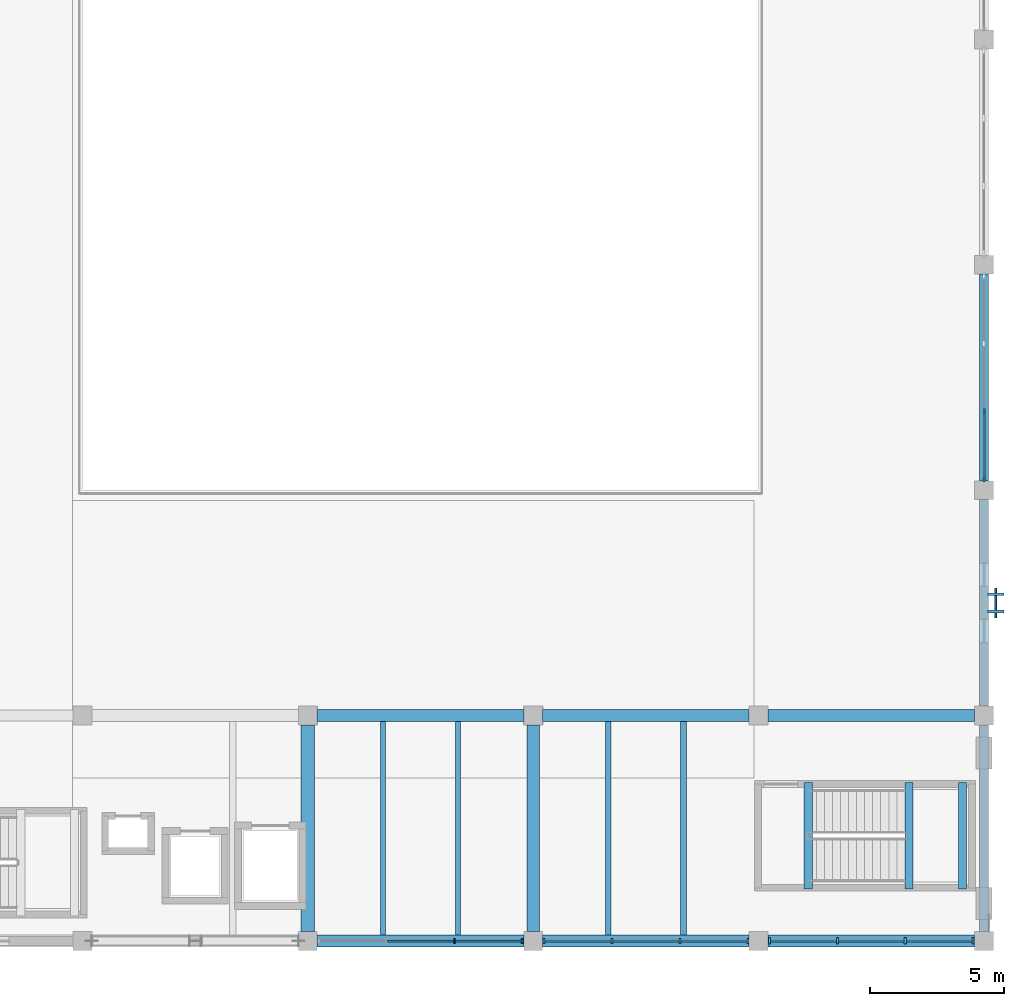
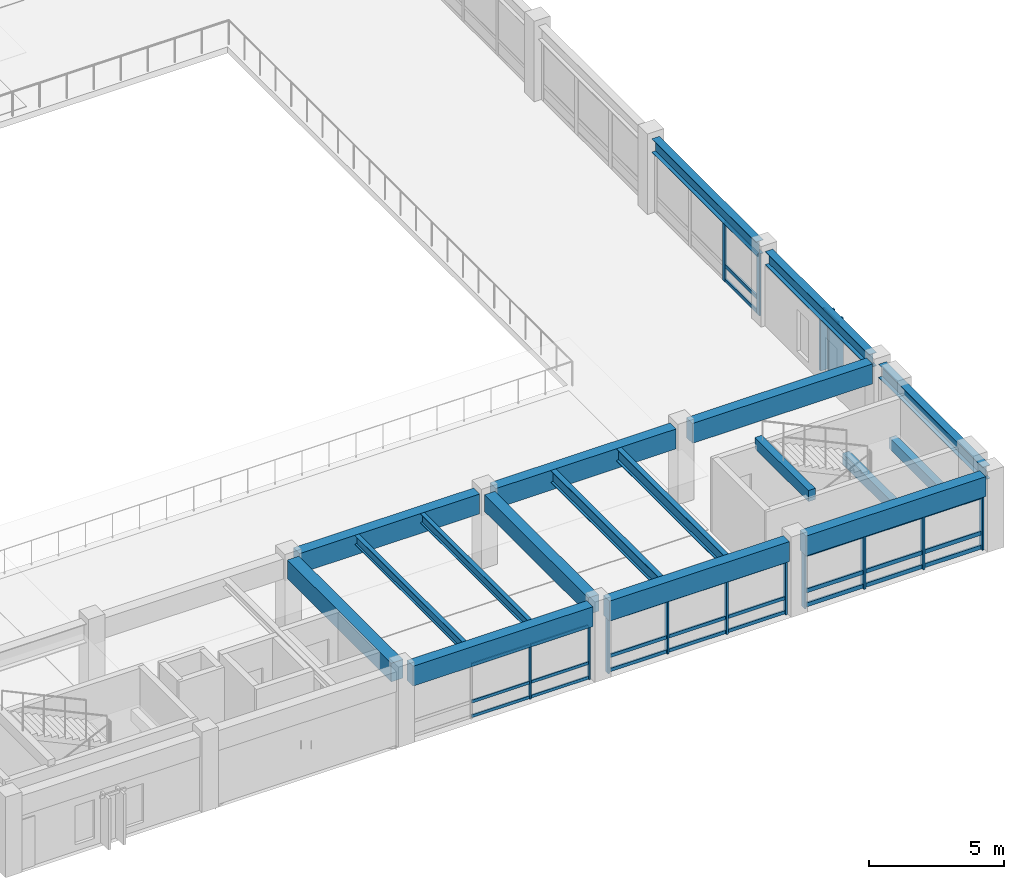
# One storey, part 41 of 118: 42 members, 18 beams, 5 elements without a shape of their own.
"""IFC4 building model written with IfcOpenShell, lengths in metres."""

from ifc_helpers import new_model, si_unit, direction, frame, origin, origin_2d, place, context, subcontext, project, spatial, rectangle, i_section, extrude, material, material_profile, profile_set, type_object, element, aggregate, save


model = new_model("IFC4")

# Units and contexts
model_context = context("Model", 3, precision=1e-05, world=origin(), true_north=direction((0.0, 1.0)))
body_context = subcontext(model_context, "Body", "Model", "MODEL_VIEW")
ifc_project = project(units=[si_unit("LENGTHUNIT", "METRE"), si_unit("AREAUNIT", "SQUARE_METRE"), si_unit("VOLUMEUNIT", "CUBIC_METRE"), si_unit("PLANEANGLEUNIT", "RADIAN"), si_unit("MASSUNIT", "GRAM", prefix="KILO")], contexts=[model_context])

# Site, building, storey
site_placement = place(None, origin())
site = spatial("IfcSite", under=ifc_project, at=site_placement, CompositionType="ELEMENT")
building_placement = place(site_placement, origin())
building = spatial("IfcBuilding", under=site, at=building_placement, Name="Cumbredor Promenade Congress Hotel", CompositionType="ELEMENT")
storey_placement = place(building_placement, frame((0.0, 0.0, 3.919921875)))
storey = spatial("IfcBuildingStorey", under=building, at=storey_placement, Name="L01", CompositionType="ELEMENT", Elevation=3.919921875)

# Beams
ifc_material_1 = material(Name="Concrete C40/50", Category="concrete")
ifc_material_profile_1 = material_profile(ifc_material_1, rectangle(XDim=0.449951171875, YDim=0.75, at=origin_2d()), Name="RC BEAM 450x750")
ifc_profile_set_1 = profile_set([ifc_material_profile_1], Name="Concrete C40/50")
beam_type_1 = type_object("IfcBeamType", Name="BM-RC-450x750", PredefinedType="BEAM", material=ifc_profile_set_1)
beam_1_placement = place(storey_placement, frame((168.0, 8.75, 2.985107421875), z_axis=(0.0, 1.0, 0.0), x_axis=(-1.0, 0.0, 0.0)))
element("IfcBeam", 1, at=beam_1_placement, inside=storey, type_object=beam_type_1, Name="L02 Y-Grid Beam 262", PredefinedType="BEAM", context=body_context, shape_type="SweptSolid", body=[
    extrude(rectangle(XDim=0.449951171875, YDim=0.75, at=origin_2d()), origin(), (0.0, 0.0, 1.0), 7.699951171875),
])
ifc_material_profile_2 = material_profile(ifc_material_1, rectangle(XDim=0.5, YDim=0.85009765625, at=origin_2d()), Name="RC BEAM 500x850")
ifc_profile_set_2 = profile_set([ifc_material_profile_2], Name="Concrete C40/50")
beam_type_2 = type_object("IfcBeamType", Name="BM-RC-500x850", PredefinedType="BEAM", material=ifc_profile_set_2)
beam_2_placement = place(storey_placement, frame((159.60009765625, 8.75, 2.93505859375), z_axis=(0.0, 1.0, 0.0), x_axis=(-1.0, 0.0, 0.0)))
element("IfcBeam", 2, at=beam_2_placement, inside=storey, type_object=beam_type_2, Name="L02 Y-Grid Beam 247", PredefinedType="BEAM", context=body_context, shape_type="SweptSolid", body=[
    extrude(rectangle(XDim=0.5, YDim=0.85009765625, at=origin_2d()), origin(), (0.0, 0.0, 1.0), 7.699951171875),
])

# Curtain wall, members
ifc_material_2 = material(Name="Thermally broken anodized aluminium and low-E glass", Category="aluminium")
curtain_wall_type_1 = type_object("IfcCurtainWallType", Name="Unitised Bronze Curtain Wall CW-01", PredefinedType="NOTDEFINED", material=ifc_material_2)
curtain_wall_1_placement = place(storey_placement, origin())
curtain_wall_1 = element("IfcCurtainWall", 3, at=curtain_wall_1_placement, inside=storey, type_object=curtain_wall_type_1, Name="L01 Grand Ballroom Pavilion South Curtain Wall 3", PredefinedType="NOTDEFINED")
ifc_material_3 = material(Name="Thermally broken anodized aluminium", Category="aluminium")
ifc_material_profile_3 = material_profile(ifc_material_3, rectangle(XDim=0.06494140625, YDim=0.159912109375, at=origin_2d()), Name="ALU MULLION 65x160")
ifc_profile_set_3 = profile_set([ifc_material_profile_3], Name="Thermally broken anodized aluminium")
member_type_1 = type_object("IfcMemberType", Name="Curtain Wall Mullion ML-01", PredefinedType="MULLION", material=ifc_profile_set_3)
member_1_placement = place(storey_placement, frame((165.06494140625, 8.39990234375, -0.0078125), z_axis=(0.0, 0.0, 1.0), x_axis=(1.0, 0.0, 0.0)))
member_1 = element("IfcMember", 4, at=member_1_placement, type_object=member_type_1, Name="L01 Grand Ballroom Pavilion South Curtain Wall 3 Mullion 3", PredefinedType="MULLION", context=body_context, shape_type="SweptSolid", body=[
    extrude(rectangle(XDim=0.06494140625, YDim=0.159912109375, at=origin_2d()), origin(), (0.0, 0.0, 1.0), 2.4609375),
])
member_2_placement = place(storey_placement, frame((167.594970703125, 8.39990234375, -0.0078125), z_axis=(0.0, 0.0, 1.0), x_axis=(1.0, 0.0, 0.0)))
member_2 = element("IfcMember", 5, at=member_2_placement, type_object=member_type_1, Name="L01 Grand Ballroom Pavilion South Curtain Wall 3 Mullion 4", PredefinedType="MULLION", context=body_context, shape_type="SweptSolid", body=[
    extrude(rectangle(XDim=0.06494140625, YDim=0.159912109375, at=origin_2d()), origin(), (0.0, 0.0, 1.0), 2.4609375),
])

curtain_wall_2_placement = place(storey_placement, origin())
curtain_wall_2 = element("IfcCurtainWall", 6, at=curtain_wall_2_placement, inside=storey, type_object=curtain_wall_type_1, Name="L01 Grand Ballroom Pavilion South Curtain Wall 4", PredefinedType="NOTDEFINED")
ifc_material_profile_4 = material_profile(ifc_material_3, rectangle(XDim=0.074951171875, YDim=0.199951171875, at=origin_2d()), Name="ALU MULLION 75x200")
ifc_profile_set_4 = profile_set([ifc_material_profile_4], Name="Thermally broken anodized aluminium")
member_type_2 = type_object("IfcMemberType", Name="Curtain Wall Mullion ML-02", PredefinedType="MULLION", material=ifc_profile_set_4)
member_3_placement = place(storey_placement, frame((168.405029296875, 8.39990234375, -0.0078125), z_axis=(0.0, 0.0, 1.0), x_axis=(1.0, 0.0, 0.0)))
member_3 = element("IfcMember", 7, at=member_3_placement, type_object=member_type_2, Name="L01 Grand Ballroom Pavilion South Curtain Wall 4 Mullion 1", PredefinedType="MULLION", context=body_context, shape_type="SweptSolid", body=[
    extrude(rectangle(XDim=0.074951171875, YDim=0.199951171875, at=origin_2d()), origin(), (0.0, 0.0, 1.0), 2.4609375),
])
member_4_placement = place(storey_placement, frame((170.93505859375, 8.39990234375, -0.0078125), z_axis=(0.0, 0.0, 1.0), x_axis=(1.0, 0.0, 0.0)))
member_4 = element("IfcMember", 8, at=member_4_placement, type_object=member_type_2, Name="L01 Grand Ballroom Pavilion South Curtain Wall 4 Mullion 2", PredefinedType="MULLION", context=body_context, shape_type="SweptSolid", body=[
    extrude(rectangle(XDim=0.074951171875, YDim=0.199951171875, at=origin_2d()), origin(), (0.0, 0.0, 1.0), 2.4609375),
])
member_5_placement = place(storey_placement, frame((173.465087890625, 8.39990234375, -0.0078125), z_axis=(0.0, 0.0, 1.0), x_axis=(1.0, 0.0, 0.0)))
member_5 = element("IfcMember", 9, at=member_5_placement, type_object=member_type_2, Name="L01 Grand Ballroom Pavilion South Curtain Wall 4 Mullion 3", PredefinedType="MULLION", context=body_context, shape_type="SweptSolid", body=[
    extrude(rectangle(XDim=0.074951171875, YDim=0.199951171875, at=origin_2d()), origin(), (0.0, 0.0, 1.0), 2.4609375),
])
member_6_placement = place(storey_placement, frame((175.9951171875, 8.39990234375, -0.0078125), z_axis=(0.0, 0.0, 1.0), x_axis=(1.0, 0.0, 0.0)))
member_6 = element("IfcMember", 10, at=member_6_placement, type_object=member_type_2, Name="L01 Grand Ballroom Pavilion South Curtain Wall 4 Mullion 4", PredefinedType="MULLION", context=body_context, shape_type="SweptSolid", body=[
    extrude(rectangle(XDim=0.074951171875, YDim=0.199951171875, at=origin_2d()), origin(), (0.0, 0.0, 1.0), 2.4609375),
])

curtain_wall_3_placement = place(storey_placement, origin())
curtain_wall_3 = element("IfcCurtainWall", 11, at=curtain_wall_3_placement, inside=storey, type_object=curtain_wall_type_1, Name="L01 Grand Ballroom Pavilion East Curtain Wall 3", PredefinedType="NOTDEFINED")
member_7_placement = place(storey_placement, frame((184.800048828125, 25.60498046875, -0.0078125), z_axis=(0.0, 0.0, 1.0), x_axis=(1.0, 0.0, 0.0)))
member_7 = element("IfcMember", 12, at=member_7_placement, type_object=member_type_2, Name="L01 Grand Ballroom Pavilion East Curtain Wall 3 Mullion 1", PredefinedType="MULLION", context=body_context, shape_type="SweptSolid", body=[
    extrude(rectangle(XDim=0.074951171875, YDim=0.199951171875, at=origin_2d()), origin(), (0.0, 0.0, 1.0), 2.75),
])
member_8_placement = place(storey_placement, frame((184.800048828125, 28.135009765625, -0.0078125), z_axis=(0.0, 0.0, 1.0), x_axis=(1.0, 0.0, 0.0)))
member_8 = element("IfcMember", 13, at=member_8_placement, type_object=member_type_2, Name="L01 Grand Ballroom Pavilion East Curtain Wall 3 Mullion 2", PredefinedType="MULLION", context=body_context, shape_type="SweptSolid", body=[
    extrude(rectangle(XDim=0.074951171875, YDim=0.199951171875, at=origin_2d()), origin(), (0.0, 0.0, 1.0), 2.75),
])

curtain_wall_4_placement = place(storey_placement, origin())
curtain_wall_4 = element("IfcCurtainWall", 14, at=curtain_wall_4_placement, inside=storey, type_object=curtain_wall_type_1, Name="L01 Grand Ballroom Pavilion South Curtain Wall 5", PredefinedType="NOTDEFINED")
ifc_material_profile_5 = material_profile(ifc_material_3, rectangle(XDim=0.080078125, YDim=0.239990234375, at=origin_2d()), Name="ALU MULLION 80x240")
ifc_profile_set_5 = profile_set([ifc_material_profile_5], Name="Thermally broken anodized aluminium")
member_type_3 = type_object("IfcMemberType", Name="Curtain Wall Mullion ML-03", PredefinedType="MULLION", material=ifc_profile_set_5)
member_9_placement = place(storey_placement, frame((176.804931640625, 8.39990234375, -0.0078125), z_axis=(0.0, 0.0, 1.0), x_axis=(1.0, 0.0, 0.0)))
member_9 = element("IfcMember", 15, at=member_9_placement, type_object=member_type_3, Name="L01 Grand Ballroom Pavilion South Curtain Wall 5 Mullion 1", PredefinedType="MULLION", context=body_context, shape_type="SweptSolid", body=[
    extrude(rectangle(XDim=0.080078125, YDim=0.239990234375, at=origin_2d()), origin(), (0.0, 0.0, 1.0), 2.4609375),
])
member_10_placement = place(storey_placement, frame((179.3349609375, 8.39990234375, -0.0078125), z_axis=(0.0, 0.0, 1.0), x_axis=(1.0, 0.0, 0.0)))
member_10 = element("IfcMember", 16, at=member_10_placement, type_object=member_type_3, Name="L01 Grand Ballroom Pavilion South Curtain Wall 5 Mullion 2", PredefinedType="MULLION", context=body_context, shape_type="SweptSolid", body=[
    extrude(rectangle(XDim=0.080078125, YDim=0.239990234375, at=origin_2d()), origin(), (0.0, 0.0, 1.0), 2.4609375),
])
member_11_placement = place(storey_placement, frame((181.864990234375, 8.39990234375, -0.0078125), z_axis=(0.0, 0.0, 1.0), x_axis=(1.0, 0.0, 0.0)))
member_11 = element("IfcMember", 17, at=member_11_placement, type_object=member_type_3, Name="L01 Grand Ballroom Pavilion South Curtain Wall 5 Mullion 3", PredefinedType="MULLION", context=body_context, shape_type="SweptSolid", body=[
    extrude(rectangle(XDim=0.080078125, YDim=0.239990234375, at=origin_2d()), origin(), (0.0, 0.0, 1.0), 2.4609375),
])
member_12_placement = place(storey_placement, frame((184.39501953125, 8.39990234375, -0.0078125), z_axis=(0.0, 0.0, 1.0), x_axis=(1.0, 0.0, 0.0)))
member_12 = element("IfcMember", 18, at=member_12_placement, type_object=member_type_3, Name="L01 Grand Ballroom Pavilion South Curtain Wall 5 Mullion 4", PredefinedType="MULLION", context=body_context, shape_type="SweptSolid", body=[
    extrude(rectangle(XDim=0.080078125, YDim=0.239990234375, at=origin_2d()), origin(), (0.0, 0.0, 1.0), 2.4609375),
])

# Member
ifc_material_profile_6 = material_profile(ifc_material_3, rectangle(XDim=0.06494140625, YDim=0.1298828125, at=origin_2d()), Name="ALU TRANSOM 65x130")
ifc_profile_set_6 = profile_set([ifc_material_profile_6], Name="Thermally broken anodized aluminium")
member_type_4 = type_object("IfcMemberType", Name="Curtain Wall Transom TR-01", PredefinedType="USERDEFINED", material=ifc_profile_set_6)
member_13_placement = place(storey_placement, frame((162.5673828125, 8.39990234375, 0.06005859375), z_axis=(1.0, 0.0, 0.0), x_axis=(0.0, 1.0, 0.0)))
member_13 = element("IfcMember", 19, at=member_13_placement, type_object=member_type_4, Name="L01 Grand Ballroom Pavilion South Curtain Wall 3 Transom 2.1", ObjectType="TRANSOM", PredefinedType="USERDEFINED", context=body_context, shape_type="SweptSolid", body=[
    extrude(rectangle(XDim=0.06494140625, YDim=0.1298828125, at=origin_2d()), origin(), (0.0, 0.0, 1.0), 2.465087890625),
])

member_14_placement = place(storey_placement, frame((162.5673828125, 8.39990234375, 0.719970703125), z_axis=(1.0, 0.0, 0.0), x_axis=(0.0, 1.0, 0.0)))
member_14 = element("IfcMember", 20, at=member_14_placement, type_object=member_type_4, Name="L01 Grand Ballroom Pavilion South Curtain Wall 3 Transom 2.2", ObjectType="TRANSOM", PredefinedType="USERDEFINED", context=body_context, shape_type="SweptSolid", body=[
    extrude(rectangle(XDim=0.06494140625, YDim=0.1298828125, at=origin_2d()), origin(), (0.0, 0.0, 1.0), 2.465087890625),
])

member_15_placement = place(storey_placement, frame((162.5673828125, 8.39990234375, 2.380126953125), z_axis=(1.0, 0.0, 0.0), x_axis=(0.0, 1.0, 0.0)))
member_15 = element("IfcMember", 21, at=member_15_placement, type_object=member_type_4, Name="L01 Grand Ballroom Pavilion South Curtain Wall 3 Transom 2.3", ObjectType="TRANSOM", PredefinedType="USERDEFINED", context=body_context, shape_type="SweptSolid", body=[
    extrude(rectangle(XDim=0.06494140625, YDim=0.1298828125, at=origin_2d()), origin(), (0.0, 0.0, 1.0), 2.465087890625),
])

member_16_placement = place(storey_placement, frame((165.097412109375, 8.39990234375, 0.06005859375), z_axis=(1.0, 0.0, 0.0), x_axis=(0.0, 1.0, 0.0)))
member_16 = element("IfcMember", 22, at=member_16_placement, type_object=member_type_4, Name="L01 Grand Ballroom Pavilion South Curtain Wall 3 Transom 3.1", ObjectType="TRANSOM", PredefinedType="USERDEFINED", context=body_context, shape_type="SweptSolid", body=[
    extrude(rectangle(XDim=0.06494140625, YDim=0.1298828125, at=origin_2d()), origin(), (0.0, 0.0, 1.0), 2.465087890625),
])

member_17_placement = place(storey_placement, frame((165.097412109375, 8.39990234375, 0.719970703125), z_axis=(1.0, 0.0, 0.0), x_axis=(0.0, 1.0, 0.0)))
member_17 = element("IfcMember", 23, at=member_17_placement, type_object=member_type_4, Name="L01 Grand Ballroom Pavilion South Curtain Wall 3 Transom 3.2", ObjectType="TRANSOM", PredefinedType="USERDEFINED", context=body_context, shape_type="SweptSolid", body=[
    extrude(rectangle(XDim=0.06494140625, YDim=0.1298828125, at=origin_2d()), origin(), (0.0, 0.0, 1.0), 2.465087890625),
])

member_18_placement = place(storey_placement, frame((165.097412109375, 8.39990234375, 2.380126953125), z_axis=(1.0, 0.0, 0.0), x_axis=(0.0, 1.0, 0.0)))
member_18 = element("IfcMember", 24, at=member_18_placement, type_object=member_type_4, Name="L01 Grand Ballroom Pavilion South Curtain Wall 3 Transom 3.3", ObjectType="TRANSOM", PredefinedType="USERDEFINED", context=body_context, shape_type="SweptSolid", body=[
    extrude(rectangle(XDim=0.06494140625, YDim=0.1298828125, at=origin_2d()), origin(), (0.0, 0.0, 1.0), 2.465087890625),
])

aggregate(curtain_wall_1, [member_1, member_2, member_13, member_14, member_15, member_16, member_17, member_18])

# Curtain wall, member
curtain_wall_type_2 = type_object("IfcCurtainWallType", Name="Solar Brise-Soleil Screen Assembly CW-07", PredefinedType="NOTDEFINED", material=ifc_material_2)
curtain_wall_5_placement = place(storey_placement, origin())
curtain_wall_5 = element("IfcCurtainWall", 25, at=curtain_wall_5_placement, inside=storey, type_object=curtain_wall_type_2, Name="L01 Pier Brise-Soleil Screen 0181", PredefinedType="NOTDEFINED")
member_19_placement = place(storey_placement, frame((185.235107421875, 20.449951171875, 2.573974609375), z_axis=(0.0, 1.0, 0.0), x_axis=(-1.0, 0.0, 0.0)))
member_19 = element("IfcMember", 26, at=member_19_placement, type_object=member_type_4, Name="L01 Pier Brise-Soleil Header 0183", ObjectType="TRANSOM", PredefinedType="USERDEFINED", context=body_context, shape_type="SweptSolid", body=[
    extrude(rectangle(XDim=0.06494140625, YDim=0.1298828125, at=origin_2d()), origin(), (0.0, 0.0, 1.0), 1.10009765625),
])

# Member
ifc_material_profile_7 = material_profile(ifc_material_3, rectangle(XDim=0.074951171875, YDim=0.14990234375, at=origin_2d()), Name="ALU TRANSOM 75x150")
ifc_profile_set_7 = profile_set([ifc_material_profile_7], Name="Thermally broken anodized aluminium")
member_type_5 = type_object("IfcMemberType", Name="Curtain Wall Transom TR-02", PredefinedType="USERDEFINED", material=ifc_profile_set_7)
member_20_placement = place(storey_placement, frame((168.4423828125, 8.39990234375, 0.080078125), z_axis=(1.0, 0.0, 0.0), x_axis=(0.0, 1.0, 0.0)))
member_20 = element("IfcMember", 27, at=member_20_placement, type_object=member_type_5, Name="L01 Grand Ballroom Pavilion South Curtain Wall 4 Transom 1.1", ObjectType="TRANSOM", PredefinedType="USERDEFINED", context=body_context, shape_type="SweptSolid", body=[
    extrude(rectangle(XDim=0.074951171875, YDim=0.14990234375, at=origin_2d()), origin(), (0.0, 0.0, 1.0), 2.455078125),
])

member_21_placement = place(storey_placement, frame((168.4423828125, 8.39990234375, 0.719970703125), z_axis=(1.0, 0.0, 0.0), x_axis=(0.0, 1.0, 0.0)))
member_21 = element("IfcMember", 28, at=member_21_placement, type_object=member_type_5, Name="L01 Grand Ballroom Pavilion South Curtain Wall 4 Transom 1.2", ObjectType="TRANSOM", PredefinedType="USERDEFINED", context=body_context, shape_type="SweptSolid", body=[
    extrude(rectangle(XDim=0.074951171875, YDim=0.14990234375, at=origin_2d()), origin(), (0.0, 0.0, 1.0), 2.455078125),
])

member_22_placement = place(storey_placement, frame((168.4423828125, 8.39990234375, 2.3701171875), z_axis=(1.0, 0.0, 0.0), x_axis=(0.0, 1.0, 0.0)))
member_22 = element("IfcMember", 29, at=member_22_placement, type_object=member_type_5, Name="L01 Grand Ballroom Pavilion South Curtain Wall 4 Transom 1.3", ObjectType="TRANSOM", PredefinedType="USERDEFINED", context=body_context, shape_type="SweptSolid", body=[
    extrude(rectangle(XDim=0.074951171875, YDim=0.14990234375, at=origin_2d()), origin(), (0.0, 0.0, 1.0), 2.455078125),
])

member_23_placement = place(storey_placement, frame((170.972412109375, 8.39990234375, 0.080078125), z_axis=(1.0, 0.0, 0.0), x_axis=(0.0, 1.0, 0.0)))
member_23 = element("IfcMember", 30, at=member_23_placement, type_object=member_type_5, Name="L01 Grand Ballroom Pavilion South Curtain Wall 4 Transom 2.1", ObjectType="TRANSOM", PredefinedType="USERDEFINED", context=body_context, shape_type="SweptSolid", body=[
    extrude(rectangle(XDim=0.074951171875, YDim=0.14990234375, at=origin_2d()), origin(), (0.0, 0.0, 1.0), 2.455078125),
])

member_24_placement = place(storey_placement, frame((170.972412109375, 8.39990234375, 0.719970703125), z_axis=(1.0, 0.0, 0.0), x_axis=(0.0, 1.0, 0.0)))
member_24 = element("IfcMember", 31, at=member_24_placement, type_object=member_type_5, Name="L01 Grand Ballroom Pavilion South Curtain Wall 4 Transom 2.2", ObjectType="TRANSOM", PredefinedType="USERDEFINED", context=body_context, shape_type="SweptSolid", body=[
    extrude(rectangle(XDim=0.074951171875, YDim=0.14990234375, at=origin_2d()), origin(), (0.0, 0.0, 1.0), 2.455078125),
])

member_25_placement = place(storey_placement, frame((170.972412109375, 8.39990234375, 2.3701171875), z_axis=(1.0, 0.0, 0.0), x_axis=(0.0, 1.0, 0.0)))
member_25 = element("IfcMember", 32, at=member_25_placement, type_object=member_type_5, Name="L01 Grand Ballroom Pavilion South Curtain Wall 4 Transom 2.3", ObjectType="TRANSOM", PredefinedType="USERDEFINED", context=body_context, shape_type="SweptSolid", body=[
    extrude(rectangle(XDim=0.074951171875, YDim=0.14990234375, at=origin_2d()), origin(), (0.0, 0.0, 1.0), 2.455078125),
])

member_26_placement = place(storey_placement, frame((173.50244140625, 8.39990234375, 0.080078125), z_axis=(1.0, 0.0, 0.0), x_axis=(0.0, 1.0, 0.0)))
member_26 = element("IfcMember", 33, at=member_26_placement, type_object=member_type_5, Name="L01 Grand Ballroom Pavilion South Curtain Wall 4 Transom 3.1", ObjectType="TRANSOM", PredefinedType="USERDEFINED", context=body_context, shape_type="SweptSolid", body=[
    extrude(rectangle(XDim=0.074951171875, YDim=0.14990234375, at=origin_2d()), origin(), (0.0, 0.0, 1.0), 2.455078125),
])

member_27_placement = place(storey_placement, frame((173.50244140625, 8.39990234375, 0.719970703125), z_axis=(1.0, 0.0, 0.0), x_axis=(0.0, 1.0, 0.0)))
member_27 = element("IfcMember", 34, at=member_27_placement, type_object=member_type_5, Name="L01 Grand Ballroom Pavilion South Curtain Wall 4 Transom 3.2", ObjectType="TRANSOM", PredefinedType="USERDEFINED", context=body_context, shape_type="SweptSolid", body=[
    extrude(rectangle(XDim=0.074951171875, YDim=0.14990234375, at=origin_2d()), origin(), (0.0, 0.0, 1.0), 2.455078125),
])

member_28_placement = place(storey_placement, frame((173.50244140625, 8.39990234375, 2.3701171875), z_axis=(1.0, 0.0, 0.0), x_axis=(0.0, 1.0, 0.0)))
member_28 = element("IfcMember", 35, at=member_28_placement, type_object=member_type_5, Name="L01 Grand Ballroom Pavilion South Curtain Wall 4 Transom 3.3", ObjectType="TRANSOM", PredefinedType="USERDEFINED", context=body_context, shape_type="SweptSolid", body=[
    extrude(rectangle(XDim=0.074951171875, YDim=0.14990234375, at=origin_2d()), origin(), (0.0, 0.0, 1.0), 2.455078125),
])

aggregate(curtain_wall_2, [member_3, member_4, member_5, member_6, member_20, member_21, member_22, member_23, member_24, member_25, member_26, member_27, member_28])

member_29_placement = place(storey_placement, frame((184.800048828125, 25.642578125, 0.080078125), z_axis=(0.0, 1.0, 0.0), x_axis=(-1.0, 0.0, 0.0)))
member_29 = element("IfcMember", 36, at=member_29_placement, type_object=member_type_5, Name="L01 Grand Ballroom Pavilion East Curtain Wall 3 Transom 1.1", ObjectType="TRANSOM", PredefinedType="USERDEFINED", context=body_context, shape_type="SweptSolid", body=[
    extrude(rectangle(XDim=0.074951171875, YDim=0.14990234375, at=origin_2d()), origin(), (0.0, 0.0, 1.0), 2.454833984375),
])

member_30_placement = place(storey_placement, frame((184.800048828125, 25.642578125, 0.719970703125), z_axis=(0.0, 1.0, 0.0), x_axis=(-1.0, 0.0, 0.0)))
member_30 = element("IfcMember", 37, at=member_30_placement, type_object=member_type_5, Name="L01 Grand Ballroom Pavilion East Curtain Wall 3 Transom 1.2", ObjectType="TRANSOM", PredefinedType="USERDEFINED", context=body_context, shape_type="SweptSolid", body=[
    extrude(rectangle(XDim=0.074951171875, YDim=0.14990234375, at=origin_2d()), origin(), (0.0, 0.0, 1.0), 2.454833984375),
])

member_31_placement = place(storey_placement, frame((184.800048828125, 25.642578125, 2.66015625), z_axis=(0.0, 1.0, 0.0), x_axis=(-1.0, 0.0, 0.0)))
member_31 = element("IfcMember", 38, at=member_31_placement, type_object=member_type_5, Name="L01 Grand Ballroom Pavilion East Curtain Wall 3 Transom 1.3", ObjectType="TRANSOM", PredefinedType="USERDEFINED", context=body_context, shape_type="SweptSolid", body=[
    extrude(rectangle(XDim=0.074951171875, YDim=0.14990234375, at=origin_2d()), origin(), (0.0, 0.0, 1.0), 2.454833984375),
])

aggregate(curtain_wall_3, [member_7, member_8, member_29, member_30, member_31])

ifc_material_profile_8 = material_profile(ifc_material_3, rectangle(XDim=0.080078125, YDim=0.179931640625, at=origin_2d()), Name="ALU TRANSOM 80x180")
ifc_profile_set_8 = profile_set([ifc_material_profile_8], Name="Thermally broken anodized aluminium")
member_type_6 = type_object("IfcMemberType", Name="Curtain Wall Transom TR-03", PredefinedType="USERDEFINED", material=ifc_profile_set_8)
member_32_placement = place(storey_placement, frame((176.844970703125, 8.39990234375, 0.090087890625), z_axis=(1.0, 0.0, 0.0), x_axis=(0.0, 1.0, 0.0)))
member_32 = element("IfcMember", 39, at=member_32_placement, type_object=member_type_6, Name="L01 Grand Ballroom Pavilion South Curtain Wall 5 Transom 1.1", ObjectType="TRANSOM", PredefinedType="USERDEFINED", context=body_context, shape_type="SweptSolid", body=[
    extrude(rectangle(XDim=0.080078125, YDim=0.179931640625, at=origin_2d()), origin(), (0.0, 0.0, 1.0), 2.449951171875),
])

member_33_placement = place(storey_placement, frame((176.844970703125, 8.39990234375, 0.719970703125), z_axis=(1.0, 0.0, 0.0), x_axis=(0.0, 1.0, 0.0)))
member_33 = element("IfcMember", 40, at=member_33_placement, type_object=member_type_6, Name="L01 Grand Ballroom Pavilion South Curtain Wall 5 Transom 1.2", ObjectType="TRANSOM", PredefinedType="USERDEFINED", context=body_context, shape_type="SweptSolid", body=[
    extrude(rectangle(XDim=0.080078125, YDim=0.179931640625, at=origin_2d()), origin(), (0.0, 0.0, 1.0), 2.449951171875),
])

member_34_placement = place(storey_placement, frame((176.844970703125, 8.39990234375, 2.360107421875), z_axis=(1.0, 0.0, 0.0), x_axis=(0.0, 1.0, 0.0)))
member_34 = element("IfcMember", 41, at=member_34_placement, type_object=member_type_6, Name="L01 Grand Ballroom Pavilion South Curtain Wall 5 Transom 1.3", ObjectType="TRANSOM", PredefinedType="USERDEFINED", context=body_context, shape_type="SweptSolid", body=[
    extrude(rectangle(XDim=0.080078125, YDim=0.179931640625, at=origin_2d()), origin(), (0.0, 0.0, 1.0), 2.449951171875),
])

member_35_placement = place(storey_placement, frame((179.375, 8.39990234375, 0.090087890625), z_axis=(1.0, 0.0, 0.0), x_axis=(0.0, 1.0, 0.0)))
member_35 = element("IfcMember", 42, at=member_35_placement, type_object=member_type_6, Name="L01 Grand Ballroom Pavilion South Curtain Wall 5 Transom 2.1", ObjectType="TRANSOM", PredefinedType="USERDEFINED", context=body_context, shape_type="SweptSolid", body=[
    extrude(rectangle(XDim=0.080078125, YDim=0.179931640625, at=origin_2d()), origin(), (0.0, 0.0, 1.0), 2.449951171875),
])

member_36_placement = place(storey_placement, frame((179.375, 8.39990234375, 0.719970703125), z_axis=(1.0, 0.0, 0.0), x_axis=(0.0, 1.0, 0.0)))
member_36 = element("IfcMember", 43, at=member_36_placement, type_object=member_type_6, Name="L01 Grand Ballroom Pavilion South Curtain Wall 5 Transom 2.2", ObjectType="TRANSOM", PredefinedType="USERDEFINED", context=body_context, shape_type="SweptSolid", body=[
    extrude(rectangle(XDim=0.080078125, YDim=0.179931640625, at=origin_2d()), origin(), (0.0, 0.0, 1.0), 2.449951171875),
])

member_37_placement = place(storey_placement, frame((179.375, 8.39990234375, 2.360107421875), z_axis=(1.0, 0.0, 0.0), x_axis=(0.0, 1.0, 0.0)))
member_37 = element("IfcMember", 44, at=member_37_placement, type_object=member_type_6, Name="L01 Grand Ballroom Pavilion South Curtain Wall 5 Transom 2.3", ObjectType="TRANSOM", PredefinedType="USERDEFINED", context=body_context, shape_type="SweptSolid", body=[
    extrude(rectangle(XDim=0.080078125, YDim=0.179931640625, at=origin_2d()), origin(), (0.0, 0.0, 1.0), 2.449951171875),
])

member_38_placement = place(storey_placement, frame((181.905029296875, 8.39990234375, 0.090087890625), z_axis=(1.0, 0.0, 0.0), x_axis=(0.0, 1.0, 0.0)))
member_38 = element("IfcMember", 45, at=member_38_placement, type_object=member_type_6, Name="L01 Grand Ballroom Pavilion South Curtain Wall 5 Transom 3.1", ObjectType="TRANSOM", PredefinedType="USERDEFINED", context=body_context, shape_type="SweptSolid", body=[
    extrude(rectangle(XDim=0.080078125, YDim=0.179931640625, at=origin_2d()), origin(), (0.0, 0.0, 1.0), 2.449951171875),
])

member_39_placement = place(storey_placement, frame((181.905029296875, 8.39990234375, 0.719970703125), z_axis=(1.0, 0.0, 0.0), x_axis=(0.0, 1.0, 0.0)))
member_39 = element("IfcMember", 46, at=member_39_placement, type_object=member_type_6, Name="L01 Grand Ballroom Pavilion South Curtain Wall 5 Transom 3.2", ObjectType="TRANSOM", PredefinedType="USERDEFINED", context=body_context, shape_type="SweptSolid", body=[
    extrude(rectangle(XDim=0.080078125, YDim=0.179931640625, at=origin_2d()), origin(), (0.0, 0.0, 1.0), 2.449951171875),
])

member_40_placement = place(storey_placement, frame((181.905029296875, 8.39990234375, 2.360107421875), z_axis=(1.0, 0.0, 0.0), x_axis=(0.0, 1.0, 0.0)))
member_40 = element("IfcMember", 47, at=member_40_placement, type_object=member_type_6, Name="L01 Grand Ballroom Pavilion South Curtain Wall 5 Transom 3.3", ObjectType="TRANSOM", PredefinedType="USERDEFINED", context=body_context, shape_type="SweptSolid", body=[
    extrude(rectangle(XDim=0.080078125, YDim=0.179931640625, at=origin_2d()), origin(), (0.0, 0.0, 1.0), 2.449951171875),
])

aggregate(curtain_wall_4, [member_9, member_10, member_11, member_12, member_32, member_33, member_34, member_35, member_36, member_37, member_38, member_39, member_40])

# Beams
ifc_material_4 = material(Name="Steel ASTM A992 Grade 50", Category="steel")
ifc_material_profile_9 = material_profile(ifc_material_4, i_section(OverallWidth=0.180908203125, OverallDepth=0.4169921875, WebThickness=0.010986328125, FlangeThickness=0.018310546875, at=origin_2d()), Name="W16X57")
ifc_profile_set_9 = profile_set([ifc_material_profile_9], Name="Steel ASTM A992 Grade 50")
beam_type_3 = type_object("IfcBeamType", Name="JST-W16X57", PredefinedType="JOIST", material=ifc_profile_set_9)
for number, where, z_axis, x_axis, name in (
    (48, (162.39990234375, 8.625, 3.151611328125), (0.0, 1.0, 0.0), (-1.0, 0.0, 0.0), "L02 Secondary Floor Joist 0139"),
    (49, (165.199951171875, 8.625, 3.151611328125), (0.0, 1.0, 0.0), (-1.0, 0.0, 0.0), "L02 Secondary Floor Joist 0140"),
):
    element("IfcBeam", number, at=place(storey_placement, frame(where, z_axis=z_axis, x_axis=x_axis)), inside=storey, type_object=beam_type_3, Name=name, PredefinedType="JOIST", context=body_context, shape_type="SweptSolid", body=[
        extrude(i_section(OverallWidth=0.180908203125, OverallDepth=0.4169921875, WebThickness=0.010986328125, FlangeThickness=0.018310546875, at=origin_2d()), origin(), (0.0, 0.0, 1.0), 7.949951171875),
    ])
ifc_material_profile_10 = material_profile(ifc_material_4, i_section(OverallWidth=0.214111328125, OverallDepth=0.549072265625, WebThickness=0.0146484375, FlangeThickness=0.023681640625, at=origin_2d()), Name="W21X93")
ifc_profile_set_10 = profile_set([ifc_material_profile_10], Name="Steel ASTM A992 Grade 50")
beam_type_4 = type_object("IfcBeamType", Name="JST-W21X93", PredefinedType="JOIST", material=ifc_profile_set_10)
for number, where, z_axis, x_axis, name in (
    (50, (170.800048828125, 8.625, 3.085693359375), (0.0, 1.0, 0.0), (-1.0, 0.0, 0.0), "L02 Secondary Floor Joist 0151"),
    (51, (173.60009765625, 8.625, 3.085693359375), (0.0, 1.0, 0.0), (-1.0, 0.0, 0.0), "L02 Secondary Floor Joist 0152"),
):
    element("IfcBeam", number, at=place(storey_placement, frame(where, z_axis=z_axis, x_axis=x_axis)), inside=storey, type_object=beam_type_4, Name=name, PredefinedType="JOIST", context=body_context, shape_type="SweptSolid", body=[
        extrude(i_section(OverallWidth=0.214111328125, OverallDepth=0.549072265625, WebThickness=0.0146484375, FlangeThickness=0.023681640625, at=origin_2d()), origin(), (0.0, 0.0, 1.0), 7.949951171875),
    ])
ifc_material_profile_11 = material_profile(ifc_material_1, rectangle(XDim=0.300048828125, YDim=0.5, at=origin_2d()), Name="RC LINTEL 300x500")
ifc_profile_set_11 = profile_set([ifc_material_profile_11], Name="Concrete C40/50")
beam_type_5 = type_object("IfcBeamType", Name="LN-RC-300x500", PredefinedType="LINTEL", material=ifc_profile_set_11)
for number, where, z_axis, x_axis, name in (
    (52, (184.0, 10.330078125, 1.3701171875), (0.0, 1.0, 0.0), (-1.0, 0.0, 0.0), "L01 Stair ST-09 Landing Ledger Beam E"),
    (53, (182.0, 10.330078125, 1.3701171875), (0.0, 1.0, 0.0), (-1.0, 0.0, 0.0), "L01 Stair ST-09 Landing Ledger Beam W"),
    (54, (178.25, 10.330078125, 3.39013671875), (0.0, 1.0, 0.0), (-1.0, 0.0, 0.0), "L02 Stair ST-09 Well Header Trimmer Beam"),
):
    element("IfcBeam", number, at=place(storey_placement, frame(where, z_axis=z_axis, x_axis=x_axis)), inside=storey, type_object=beam_type_5, Name=name, PredefinedType="LINTEL", context=body_context, shape_type="SweptSolid", body=[
        extrude(rectangle(XDim=0.300048828125, YDim=0.5, at=origin_2d()), origin(), (0.0, 0.0, 1.0), 3.969970703125),
    ])
ifc_material_profile_12 = material_profile(ifc_material_1, rectangle(XDim=0.449951171875, YDim=0.89990234375, at=origin_2d()), Name="RC SPANDREL 450x900")
ifc_profile_set_12 = profile_set([ifc_material_profile_12], Name="Concrete C40/50")
beam_type_6 = type_object("IfcBeamType", Name="SP-RC-450x900", PredefinedType="SPANDREL", material=ifc_profile_set_12)
for number, where, z_axis, x_axis, name in (
    (55, (159.949951171875, 8.39990234375, 2.91015625), (1.0, 0.0, 0.0), (0.0, 1.0, 0.0), "L02 X-Grid Beam 246"),
    (56, (159.949951171875, 16.800048828125, 2.91015625), (1.0, 0.0, 0.0), (0.0, 1.0, 0.0), "L02 X-Grid Beam 248"),
    (57, (168.35009765625, 8.39990234375, 2.91015625), (1.0, 0.0, 0.0), (0.0, 1.0, 0.0), "L02 X-Grid Beam 261"),
    (58, (168.35009765625, 16.800048828125, 2.91015625), (1.0, 0.0, 0.0), (0.0, 1.0, 0.0), "L02 X-Grid Beam 263"),
    (59, (176.75, 8.39990234375, 2.91015625), (1.0, 0.0, 0.0), (0.0, 1.0, 0.0), "L02 X-Grid Beam 274"),
    (60, (176.75, 16.800048828125, 2.91015625), (1.0, 0.0, 0.0), (0.0, 1.0, 0.0), "L02 X-Grid Beam 275"),
):
    element("IfcBeam", number, at=place(storey_placement, frame(where, z_axis=z_axis, x_axis=x_axis)), inside=storey, type_object=beam_type_6, Name=name, PredefinedType="SPANDREL", context=body_context, shape_type="SweptSolid", body=[
        extrude(rectangle(XDim=0.449951171875, YDim=0.89990234375, at=origin_2d()), origin(), (0.0, 0.0, 1.0), 7.699951171875),
    ])
ifc_material_profile_13 = material_profile(ifc_material_4, i_section(OverallWidth=0.323974609375, OverallDepth=0.611083984375, WebThickness=0.0126953125, FlangeThickness=0.01904296875, at=origin_2d()), Name="W24X104")
ifc_profile_set_13 = profile_set([ifc_material_profile_13], Name="Steel ASTM A992 Grade 50")
beam_type_7 = type_object("IfcBeamType", Name="SP-W24X104", PredefinedType="SPANDREL", material=ifc_profile_set_13)
beam_3_placement = place(storey_placement, frame((184.800048828125, 8.75, 3.0546875), z_axis=(0.0, 1.0, 0.0), x_axis=(-1.0, 0.0, 0.0)))
element("IfcBeam", 61, at=beam_3_placement, inside=storey, type_object=beam_type_7, Name="L02 Y-Grid Beam 282", PredefinedType="SPANDREL", context=body_context, shape_type="SweptSolid", body=[
    extrude(i_section(OverallWidth=0.323974609375, OverallDepth=0.611083984375, WebThickness=0.0126953125, FlangeThickness=0.01904296875, at=origin_2d()), origin(), (0.0, 0.0, 1.0), 7.699951171875),
])
beam_4_placement = place(storey_placement, frame((184.800048828125, 17.14990234375, 3.0546875), z_axis=(0.0, 1.0, 0.0), x_axis=(-1.0, 0.0, 0.0)))
element("IfcBeam", 62, at=beam_4_placement, inside=storey, type_object=beam_type_7, Name="L02 Y-Grid Beam 283", PredefinedType="SPANDREL", context=body_context, shape_type="SweptSolid", body=[
    extrude(i_section(OverallWidth=0.323974609375, OverallDepth=0.611083984375, WebThickness=0.0126953125, FlangeThickness=0.01904296875, at=origin_2d()), origin(), (0.0, 0.0, 1.0), 7.7001953125),
])
beam_5_placement = place(storey_placement, frame((184.800048828125, 25.550048828125, 3.0546875), z_axis=(0.0, 1.0, 0.0), x_axis=(-1.0, 0.0, 0.0)))
element("IfcBeam", 63, at=beam_5_placement, inside=storey, type_object=beam_type_7, Name="L02 Y-Grid Beam 284", PredefinedType="SPANDREL", context=body_context, shape_type="SweptSolid", body=[
    extrude(i_section(OverallWidth=0.323974609375, OverallDepth=0.611083984375, WebThickness=0.0126953125, FlangeThickness=0.01904296875, at=origin_2d()), origin(), (0.0, 0.0, 1.0), 7.699951171875),
])

# Member
ifc_material_profile_14 = material_profile(ifc_material_3, rectangle(XDim=0.110107421875, YDim=0.6201171875, at=origin_2d()), Name="ARCH FIN 110x620")
ifc_profile_set_14 = profile_set([ifc_material_profile_14], Name="Thermally broken anodized aluminium")
member_type_7 = type_object("IfcMemberType", Name="Vertical Bronze Brise-Soleil Fin BSF-02 110x620", PredefinedType="USERDEFINED", material=ifc_profile_set_14)
member_41_placement = place(storey_placement, frame((185.235107421875, 20.679931640625, 0.02001953125), z_axis=(0.0, 0.0, 1.0), x_axis=(0.0, 1.0, 0.0)))
member_41 = element("IfcMember", 64, at=member_41_placement, type_object=member_type_7, Name="L01 Pier Brise-Soleil Fin 0182", ObjectType="SOLAR FIN", PredefinedType="USERDEFINED", context=body_context, shape_type="SweptSolid", body=[
    extrude(rectangle(XDim=0.110107421875, YDim=0.6201171875, at=origin_2d()), origin(), (0.0, 0.0, 1.0), 2.593994140625),
])

member_42_placement = place(storey_placement, frame((185.235107421875, 21.320068359375, 0.02001953125), z_axis=(0.0, 0.0, 1.0), x_axis=(0.0, 1.0, 0.0)))
member_42 = element("IfcMember", 65, at=member_42_placement, type_object=member_type_7, Name="L01 Pier Brise-Soleil Fin 0183", ObjectType="SOLAR FIN", PredefinedType="USERDEFINED", context=body_context, shape_type="SweptSolid", body=[
    extrude(rectangle(XDim=0.110107421875, YDim=0.6201171875, at=origin_2d()), origin(), (0.0, 0.0, 1.0), 2.593994140625),
])

aggregate(curtain_wall_5, [member_41, member_42, member_19])

save(model, "model.ifc")
